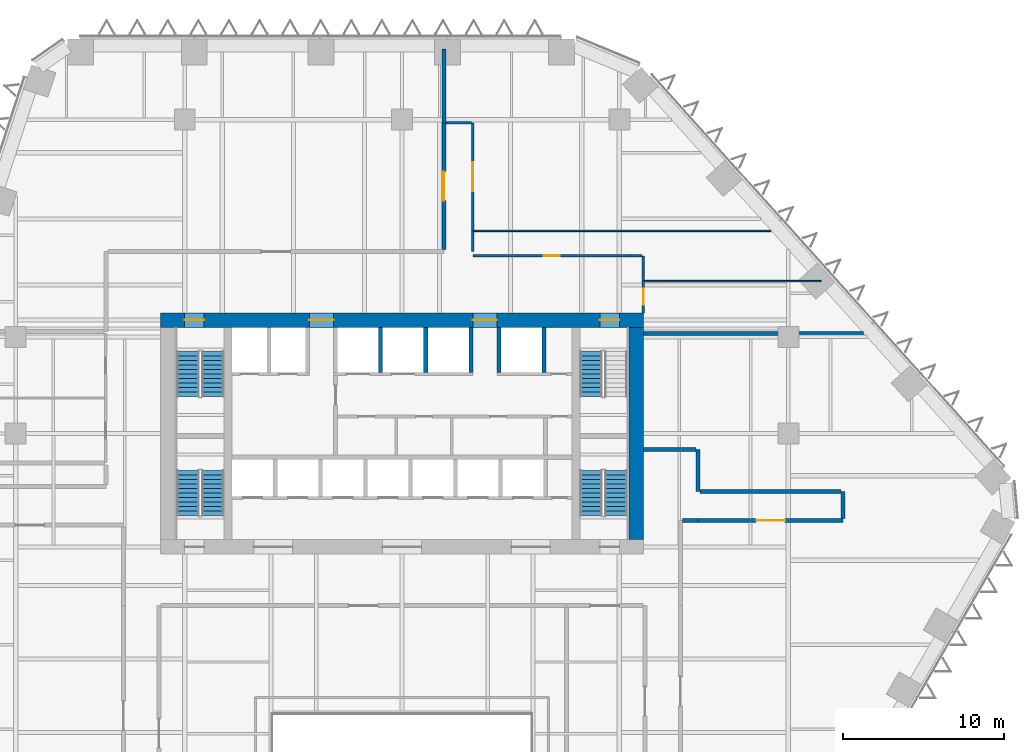
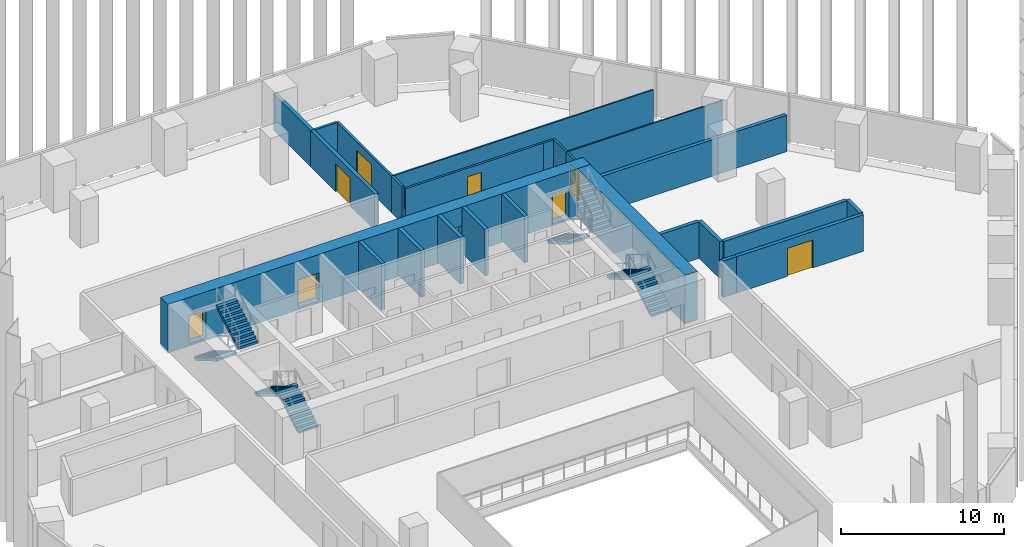
# One storey, part 16 of 24: 25 walls, 9 doors, 7 stair flights, 9 openings, 4 elements without a shape of their own.
"""IFC4 building model written with IfcOpenShell, lengths in metres."""

from ifc_helpers import new_model, si_unit, direction, frame, frame_2d, origin, place, context, subcontext, project, spatial, polyline, rectangle, outline, extrude, material, layer, layer_set, type_object, element, fill, aggregate, save


model = new_model("IFC4")

# Units and contexts
model_context = context("Model", 3, precision=1e-05, world=origin(), true_north=direction((0.0, 1.0)))
body_context = subcontext(model_context, "Body", "Model", "MODEL_VIEW")
ifc_project = project(units=[si_unit("LENGTHUNIT", "METRE"), si_unit("AREAUNIT", "SQUARE_METRE"), si_unit("VOLUMEUNIT", "CUBIC_METRE"), si_unit("PLANEANGLEUNIT", "RADIAN"), si_unit("MASSUNIT", "GRAM", prefix="KILO")], contexts=[model_context])

# Site, building, storey
site_placement = place(None, origin())
site = spatial("IfcSite", under=ifc_project, at=site_placement, CompositionType="ELEMENT")
building_placement = place(site_placement, origin())
building = spatial("IfcBuilding", under=site, at=building_placement, Name="Isthmus Gate Tower", CompositionType="ELEMENT")
storey_placement = place(building_placement, frame((0.0, 0.0, 80.64990234375)))
storey = spatial("IfcBuildingStorey", under=building, at=storey_placement, Name="L18", CompositionType="ELEMENT", Elevation=80.64990234375)

# Walls
ifc_material_1 = material(Name="Double-leaf acoustic stud wall, fire-rated", Category="gypsum")
ifc_layer_1 = layer(ifc_material_1, 0.25)
ifc_layer_set_1 = layer_set([ifc_layer_1], Name="ACOUSTIC WALL 250 60 MIN")
wall_type_1 = type_object("IfcWallType", Name="ACOUSTIC WALL 250 60 MIN", PredefinedType="PARTITIONING", material=ifc_layer_set_1)
wall_1_placement = place(storey_placement, frame((18.402099609375, 2.10205078125, 0.0), z_axis=(0.0, 0.0, 1.0), x_axis=(-1.0, 0.0, 0.0)))
element("IfcWall", 1, at=wall_1_placement, inside=storey, type_object=wall_type_1, Name="L18 Acoustic Wall 250 60 Min", PredefinedType="PARTITIONING", context=body_context, shape_type="SweptSolid", body=[
    extrude(rectangle(XDim=0.97900390625, YDim=0.25, at=frame_2d((0.489501953125, 0.0))), origin(), (0.0, 0.0, 1.0), 2.7412109375),
])
wall_2_placement = place(storey_placement, frame((18.39990234375, 6.5, 0.0), z_axis=(0.0, 0.0, 1.0), x_axis=(0.0, -1.0, 0.0)))
element("IfcWall", 2, at=wall_2_placement, inside=storey, type_object=wall_type_1, Name="L18 Acoustic Wall 250 60 Min", PredefinedType="PARTITIONING", context=body_context, shape_type="SweptSolid", body=[
    extrude(rectangle(XDim=2.60009765625, YDim=0.25, at=frame_2d((1.300048828125, 0.0))), origin(), (0.0, 0.0, 1.0), 2.7412109375),
])

# Wall, opening, door
wall_3_placement = place(storey_placement, frame((27.39990234375, 2.10009765625, 0.0), z_axis=(0.0, 0.0, 1.0), x_axis=(-1.0, 0.0, 0.0)))
wall_3 = element("IfcWall", 3, at=wall_3_placement, inside=storey, type_object=wall_type_1, Name="L18 Acoustic Wall 250 60 Min", PredefinedType="PARTITIONING", context=body_context, shape_type="SweptSolid", body=[
    extrude(rectangle(XDim=8.997802734375, YDim=0.25, at=frame_2d((4.4990234375, 0.0))), origin(), (0.0, 0.0, 1.0), 2.7412109375),
])
opening_1_placement = place(wall_3_placement, frame((3.59912109375, 0.0, 0.0)))
opening_1 = element("IfcOpeningElement", 4, at=opening_1_placement, cuts=wall_3, Name="Opening DT-T2A-09", PredefinedType="OPENING", context=body_context, shape_type="SweptSolid", body=[
    extrude(rectangle(XDim=1.800048828125, YDim=2.10009765625, at=frame_2d((0.89990234375, 1.050048828125))), frame((0.0, 0.135009765625, 0.0), z_axis=(0.0, -1.0, 0.0), x_axis=(1.0, 0.0, 0.0)), (0.0, 0.0, 1.0), 0.27001953125),
])
ifc_material_2 = material(Name="Solid core timber door leaf, fire-rated", Category="wood")
door_type_1 = type_object("IfcDoorType", Name="FIRE DOOR ACOUSTIC ROOM 1800 X 2100 60 MIN", OperationType="DOUBLE_DOOR_DOUBLE_SWING", PredefinedType="DOOR", material=ifc_material_2)
door_1_placement = place(opening_1_placement, origin())
door_1 = element("IfcDoor", 5, at=door_1_placement, inside=storey, type_object=door_type_1, Name="L18 room door", OperationType="DOUBLE_DOOR_DOUBLE_SWING", OverallHeight=2.10009765625, OverallWidth=1.800048828125, PredefinedType="DOOR", context=body_context, shape_type="SweptSolid", body=[
    extrude(rectangle(XDim=1.800048828125, YDim=2.10009765625, at=frame_2d((0.89990234375, 1.050048828125))), frame((0.0, 0.02490234375, 0.0), z_axis=(0.0, -1.0, 0.0), x_axis=(1.0, 0.0, 0.0)), (0.0, 0.0, 1.0), 0.050048828125),
])
fill(opening_1, door_1)

# Wall
wall_4_placement = place(storey_placement, frame((27.39990234375, 3.89990234375, 0.0), z_axis=(0.0, 0.0, 1.0), x_axis=(0.0, -1.0, 0.0)))
element("IfcWall", 6, at=wall_4_placement, inside=storey, type_object=wall_type_1, Name="L18 Acoustic Wall 250 60 Min", PredefinedType="PARTITIONING", context=body_context, shape_type="SweptSolid", body=[
    extrude(rectangle(XDim=1.6748046875, YDim=0.25, at=frame_2d((0.83740234375, 0.0))), origin(), (0.0, 0.0, 1.0), 2.7412109375),
])

# Wall, opening, door
wall_5_placement = place(storey_placement, frame((2.60009765625, 18.925048828125, 0.0), z_axis=(0.0, 0.0, 1.0), x_axis=(0.0, 1.0, 0.0)))
wall_5 = element("IfcWall", 7, at=wall_5_placement, inside=storey, type_object=wall_type_1, Name="L18 Acoustic Wall 250 60 Min", PredefinedType="PARTITIONING", context=body_context, shape_type="SweptSolid", body=[
    extrude(rectangle(XDim=7.875, YDim=0.25, at=frame_2d((3.9375, 0.0))), origin(), (0.0, 0.0, 1.0), 2.7412109375),
])
opening_2_placement = place(wall_5_placement, frame((3.03759765625, 0.0, 0.0)))
opening_2 = element("IfcOpeningElement", 8, at=opening_2_placement, cuts=wall_5, Name="Opening DT-T2A-02", PredefinedType="OPENING", context=body_context, shape_type="SweptSolid", body=[
    extrude(rectangle(XDim=1.800048828125, YDim=2.10009765625, at=frame_2d((0.89990234375, 1.050048828125))), frame((0.0, 0.135009765625, 0.0), z_axis=(0.0, -1.0, 0.0), x_axis=(1.0, 0.0, 0.0)), (0.0, 0.0, 1.0), 0.27001953125),
])
door_2_placement = place(opening_2_placement, origin())
door_2 = element("IfcDoor", 9, at=door_2_placement, inside=storey, type_object=door_type_1, Name="L18 room door", OperationType="DOUBLE_DOOR_DOUBLE_SWING", OverallHeight=2.10009765625, OverallWidth=1.800048828125, PredefinedType="DOOR", context=body_context, shape_type="SweptSolid", body=[
    extrude(rectangle(XDim=1.800048828125, YDim=2.10009765625, at=frame_2d((0.89990234375, 1.050048828125))), frame((0.0, 0.02490234375, 0.0), z_axis=(0.0, -1.0, 0.0), x_axis=(1.0, 0.0, 0.0)), (0.0, 0.0, 1.0), 0.050048828125),
])
fill(opening_2, door_2)

# Walls
wall_6_placement = place(storey_placement, frame((2.597900390625, 26.800048828125, 0.0), z_axis=(0.0, 0.0, 1.0), x_axis=(0.0, 1.0, 0.0)))
element("IfcWall", 10, at=wall_6_placement, inside=storey, type_object=wall_type_1, Name="L18 Acoustic Wall 250 60 Min", PredefinedType="PARTITIONING", context=body_context, shape_type="SweptSolid", body=[
    extrude(rectangle(XDim=4.599853515625, YDim=0.25, at=frame_2d((2.2998046875, 0.0))), origin(), (0.0, 0.0, 1.0), 2.7412109375),
])
wall_7_placement = place(storey_placement, frame((15.0, 13.708984375, 0.0), z_axis=(0.0, 0.0, 1.0), x_axis=(1.0, 0.0, 0.0)))
element("IfcWall", 11, at=wall_7_placement, inside=storey, type_object=wall_type_1, Name="L18 Acoustic Wall 250 60 Min", PredefinedType="PARTITIONING", context=body_context, shape_type="SweptSolid", body=[
    extrude(rectangle(XDim=13.66796875, YDim=0.25, at=frame_2d((6.833984375, 0.0))), origin(), (0.0, 0.0, 1.0), 2.7412109375),
])
wall_8_placement = place(storey_placement, frame((15.0, 6.5, 0.0), z_axis=(0.0, 0.0, 1.0), x_axis=(1.0, 0.0, 0.0)))
element("IfcWall", 12, at=wall_8_placement, inside=storey, type_object=wall_type_1, Name="L18 Acoustic Wall 250 60 Min", PredefinedType="PARTITIONING", context=body_context, shape_type="SweptSolid", body=[
    extrude(rectangle(XDim=3.27490234375, YDim=0.25, at=frame_2d((1.637451171875, 0.0))), origin(), (0.0, 0.0, 1.0), 2.7412109375),
])
wall_9_placement = place(storey_placement, frame((18.52490234375, 3.89990234375, 0.0), z_axis=(0.0, 0.0, 1.0), x_axis=(1.0, 0.0, 0.0)))
element("IfcWall", 13, at=wall_9_placement, inside=storey, type_object=wall_type_1, Name="L18 Acoustic Wall 250 60 Min", PredefinedType="PARTITIONING", context=body_context, shape_type="SweptSolid", body=[
    extrude(rectangle(XDim=8.75, YDim=0.25, at=frame_2d((4.375, 0.0))), origin(), (0.0, 0.0, 1.0), 2.7412109375),
])

# Wall, opening, door
ifc_material_3 = material(Name="Gypsum board on steel studs, fire-rated", Category="steel")
ifc_layer_2 = layer(ifc_material_3, 0.14990234375)
ifc_layer_set_2 = layer_set([ifc_layer_2], Name="CORRIDOR WALL 150 60 MIN")
wall_type_2 = type_object("IfcWallType", Name="CORRIDOR WALL 150 60 MIN", PredefinedType="PARTITIONING", material=ifc_layer_set_2)
wall_10_placement = place(storey_placement, frame((4.39990234375, 26.800048828125, 0.0), z_axis=(0.0, 0.0, 1.0), x_axis=(0.0, -1.0, 0.0)))
wall_10 = element("IfcWall", 14, at=wall_10_placement, inside=storey, type_object=wall_type_2, Name="L18 Corridor Wall 150 60 Min", PredefinedType="PARTITIONING", context=body_context, shape_type="SweptSolid", body=[
    extrude(rectangle(XDim=6.7080078125, YDim=0.14990234375, at=frame_2d((3.35400390625, 0.0))), origin(), (0.0, 0.0, 1.0), 2.7412109375),
])
opening_3_placement = place(wall_10_placement, frame((2.4541015625, 0.0, 0.0)))
opening_3 = element("IfcOpeningElement", 15, at=opening_3_placement, cuts=wall_10, Name="Opening DT-T2A-03", PredefinedType="OPENING", context=body_context, shape_type="SweptSolid", body=[
    extrude(rectangle(XDim=1.800048828125, YDim=2.10009765625, at=frame_2d((0.89990234375, 1.050048828125))), frame((0.0, 0.0849609375, 0.0), z_axis=(0.0, -1.0, 0.0), x_axis=(1.0, 0.0, 0.0)), (0.0, 0.0, 1.0), 0.169921875),
])
ifc_material_4 = material(Name="Solid core timber door leaf, fire-rated", Category="wood")
door_type_2 = type_object("IfcDoorType", Name="FIRE DOOR ROOM 1800 X 2100 60 MIN", OperationType="DOUBLE_DOOR_DOUBLE_SWING", PredefinedType="DOOR", material=ifc_material_4)
door_3_placement = place(opening_3_placement, origin())
door_3 = element("IfcDoor", 16, at=door_3_placement, inside=storey, type_object=door_type_2, Name="L18 room door", OperationType="DOUBLE_DOOR_DOUBLE_SWING", OverallHeight=2.10009765625, OverallWidth=1.800048828125, PredefinedType="DOOR", context=body_context, shape_type="SweptSolid", body=[
    extrude(rectangle(XDim=1.800048828125, YDim=2.10009765625, at=frame_2d((0.89990234375, 1.050048828125))), frame((0.0, 0.02490234375, 0.0), z_axis=(0.0, -1.0, 0.0), x_axis=(1.0, 0.0, 0.0)), (0.0, 0.0, 1.0), 0.050048828125),
])
fill(opening_3, door_3)

# Walls
wall_11_placement = place(storey_placement, frame((4.39990234375, 20.092041015625, 0.0), z_axis=(0.0, 0.0, 1.0), x_axis=(0.0, -1.0, 0.0)))
element("IfcWall", 17, at=wall_11_placement, inside=storey, type_object=wall_type_2, Name="L18 Corridor Wall 150 60 Min", PredefinedType="PARTITIONING", context=body_context, shape_type="SweptSolid", body=[
    extrude(rectangle(XDim=1.2900390625, YDim=0.14990234375, at=frame_2d((0.64501953125, 0.0))), origin(), (0.0, 0.0, 1.0), 2.7412109375),
])
wall_12_placement = place(storey_placement, frame((15.0, 18.5400390625, 0.0), z_axis=(0.0, 0.0, 1.0), x_axis=(0.0, -1.0, 0.0)))
element("IfcWall", 18, at=wall_12_placement, inside=storey, type_object=wall_type_2, Name="L18 Corridor Wall 150 60 Min", PredefinedType="PARTITIONING", context=body_context, shape_type="SweptSolid", body=[
    extrude(rectangle(XDim=1.572998046875, YDim=0.14990234375, at=frame_2d((0.78662109375, 0.0))), origin(), (0.0, 0.0, 1.0), 2.7412109375),
])

# Wall, opening, door
wall_13_placement = place(storey_placement, frame((15.0, 16.967041015625, 0.0), z_axis=(0.0, 0.0, 1.0), x_axis=(0.0, -1.0, 0.0)))
wall_13 = element("IfcWall", 19, at=wall_13_placement, inside=storey, type_object=wall_type_2, Name="L18 Corridor Wall 150 60 Min", PredefinedType="PARTITIONING", context=body_context, shape_type="SweptSolid", body=[
    extrude(rectangle(XDim=1.967041015625, YDim=0.14990234375, at=frame_2d((0.9833984375, 0.0))), origin(), (0.0, 0.0, 1.0), 2.7412109375),
])
opening_4_placement = place(wall_13_placement, frame((0.4833984375, 0.0, 0.0)))
opening_4 = element("IfcOpeningElement", 20, at=opening_4_placement, cuts=wall_13, Name="Opening DT-T2A-05", PredefinedType="OPENING", context=body_context, shape_type="SweptSolid", body=[
    extrude(rectangle(XDim=1.0, YDim=2.10009765625, at=frame_2d((0.5, 1.050048828125))), frame((0.0, 0.0849609375, 0.0), z_axis=(0.0, -1.0, 0.0), x_axis=(1.0, 0.0, 0.0)), (0.0, 0.0, 1.0), 0.169921875),
])
ifc_material_5 = material(Name="Solid core timber door leaf, fire-rated", Category="wood")
door_type_3 = type_object("IfcDoorType", Name="FIRE DOOR ROOM 1000 X 2100 60 MIN", OperationType="SINGLE_SWING_LEFT", PredefinedType="DOOR", material=ifc_material_5)
door_4_placement = place(opening_4_placement, origin())
door_4 = element("IfcDoor", 21, at=door_4_placement, inside=storey, type_object=door_type_3, Name="L18 room door", OperationType="SINGLE_SWING_RIGHT", OverallHeight=2.10009765625, OverallWidth=1.0, PredefinedType="DOOR", context=body_context, shape_type="SweptSolid", body=[
    extrude(rectangle(XDim=1.0, YDim=2.10009765625, at=frame_2d((0.5, 1.050048828125))), frame((0.0, 0.02490234375, 0.0), z_axis=(0.0, -1.0, 0.0), x_axis=(1.0, 0.0, 0.0)), (0.0, 0.0, 1.0), 0.050048828125),
])
fill(opening_4, door_4)

# Wall
wall_14_placement = place(storey_placement, frame((2.72509765625, 26.800048828125, 0.0), z_axis=(0.0, 0.0, 1.0), x_axis=(1.0, 0.0, 0.0)))
element("IfcWall", 22, at=wall_14_placement, inside=storey, type_object=wall_type_2, Name="L18 Corridor Wall 150 60 Min", PredefinedType="PARTITIONING", context=body_context, shape_type="SweptSolid", body=[
    extrude(rectangle(XDim=1.599853515625, YDim=0.14990234375, at=frame_2d((0.7998046875, 0.0))), origin(), (0.0, 0.0, 1.0), 2.7412109375),
])

# Wall, opening, door
wall_15_placement = place(storey_placement, frame((14.199951171875, 18.5419921875, 0.0), z_axis=(0.0, 0.0, 1.0), x_axis=(-0.999999980148, -0.000199257761, 0.0)))
wall_15 = element("IfcWall", 23, at=wall_15_placement, inside=storey, type_object=wall_type_2, Name="L18 Corridor Wall 150 60 Min", PredefinedType="PARTITIONING", context=body_context, shape_type="SweptSolid", body=[
    extrude(rectangle(XDim=9.802001953125, YDim=0.14990234375, at=frame_2d((4.90087890625, 0.0))), origin(), (0.0, 0.0, 1.0), 2.7412109375),
])
opening_5_placement = place(wall_15_placement, frame((4.40087890625, 0.0, 0.0)))
opening_5 = element("IfcOpeningElement", 24, at=opening_5_placement, cuts=wall_15, Name="Opening DT-T2A-04", PredefinedType="OPENING", context=body_context, shape_type="SweptSolid", body=[
    extrude(rectangle(XDim=1.0, YDim=2.10009765625, at=frame_2d((0.5, 1.050048828125))), frame((0.0, 0.0849609375, 0.0), z_axis=(0.0, -1.0, 0.0), x_axis=(1.0, 0.0, 0.0)), (0.0, 0.0, 1.0), 0.169921875),
])
door_5_placement = place(opening_5_placement, origin())
door_5 = element("IfcDoor", 25, at=door_5_placement, inside=storey, type_object=door_type_3, Name="L18 room door", OperationType="SINGLE_SWING_RIGHT", OverallHeight=2.10009765625, OverallWidth=1.0, PredefinedType="DOOR", context=body_context, shape_type="SweptSolid", body=[
    extrude(rectangle(XDim=1.0, YDim=2.10009765625, at=frame_2d((0.5, 1.050048828125))), frame((0.0, 0.02490234375, 0.0), z_axis=(0.0, -1.0, 0.0), x_axis=(1.0, 0.0, 0.0)), (0.0, 0.0, 1.0), 0.050048828125),
])
fill(opening_5, door_5)

# Wall
wall_16_placement = place(storey_placement, frame((14.199951171875, 18.5400390625, 0.0), z_axis=(0.0, 0.0, 1.0), x_axis=(1.0, 0.0, 0.0)))
element("IfcWall", 26, at=wall_16_placement, inside=storey, type_object=wall_type_2, Name="L18 Corridor Wall 150 60 Min", PredefinedType="PARTITIONING", context=body_context, shape_type="SweptSolid", body=[
    extrude(rectangle(XDim=0.72509765625, YDim=0.14990234375, at=frame_2d((0.362548828125, 0.0))), origin(), (0.0, 0.0, 1.0), 2.7412109375),
])

# Wall, openings, doors
ifc_material_6 = material(Name="Concrete f'c 70 MPa", Category="concrete")
ifc_layer_3 = layer(ifc_material_6, 0.89990234375)
ifc_layer_set_3 = layer_set([ifc_layer_3], Name="RC CORE WALL 900 F'C 70")
wall_type_3 = type_object("IfcWallType", Name="RC CORE WALL 900 F'C 70", PredefinedType="SOLIDWALL", material=ifc_layer_set_3)
wall_17_placement = place(storey_placement, frame((-15.0, 14.550048828125, -0.14990234375), z_axis=(0.0, 0.0, 1.0), x_axis=(1.0, 0.0, 0.0)))
wall_17 = element("IfcWall", 27, at=wall_17_placement, inside=storey, type_object=wall_type_3, Name="str-corewall-L18-N", PredefinedType="SOLIDWALL", context=body_context, shape_type="SweptSolid", body=[
    extrude(rectangle(XDim=30.0, YDim=0.89990234375, at=frame_2d((15.0, 0.0))), origin(), (0.0, 0.0, 1.0), 3.64990234375),
])
opening_6_placement = place(wall_17_placement, frame((9.25, 0.0, 0.14990234375)))
opening_6 = element("IfcOpeningElement", 28, at=opening_6_placement, cuts=wall_17, Name="Opening DC-A03-11", PredefinedType="OPENING", context=body_context, shape_type="SweptSolid", body=[
    extrude(rectangle(XDim=1.5, YDim=2.10009765625, at=frame_2d((0.75, 1.050048828125))), frame((0.0, 0.4599609375, 0.0), z_axis=(0.0, -1.0, 0.0), x_axis=(1.0, 0.0, 0.0)), (0.0, 0.0, 1.0), 0.919921875),
])
opening_7_placement = place(wall_17_placement, frame((19.39990234375, 0.0, 0.14990234375)))
opening_7 = element("IfcOpeningElement", 29, at=opening_7_placement, cuts=wall_17, Name="Opening DC-A03-12", PredefinedType="OPENING", context=body_context, shape_type="SweptSolid", body=[
    extrude(rectangle(XDim=1.5, YDim=2.10009765625, at=frame_2d((0.75, 1.050048828125))), frame((0.0, 0.4599609375, 0.0), z_axis=(0.0, -1.0, 0.0), x_axis=(1.0, 0.0, 0.0)), (0.0, 0.0, 1.0), 0.919921875),
])
opening_8_placement = place(wall_17_placement, frame((1.5, 0.0, 0.14990234375)))
opening_8 = element("IfcOpeningElement", 30, at=opening_8_placement, cuts=wall_17, Name="Opening DC-A03-13", PredefinedType="OPENING", context=body_context, shape_type="SweptSolid", body=[
    extrude(rectangle(XDim=1.199951171875, YDim=2.10009765625, at=frame_2d((0.60009765625, 1.050048828125))), frame((0.0, 0.4599609375, 0.0), z_axis=(0.0, -1.0, 0.0), x_axis=(1.0, 0.0, 0.0)), (0.0, 0.0, 1.0), 0.919921875),
])
opening_9_placement = place(wall_17_placement, frame((27.300048828125, 0.0, 0.14990234375)))
opening_9 = element("IfcOpeningElement", 31, at=opening_9_placement, cuts=wall_17, Name="Opening DC-A03-14", PredefinedType="OPENING", context=body_context, shape_type="SweptSolid", body=[
    extrude(rectangle(XDim=1.199951171875, YDim=2.10009765625, at=frame_2d((0.60009765625, 1.050048828125))), frame((0.0, 0.4599609375, 0.0), z_axis=(0.0, -1.0, 0.0), x_axis=(1.0, 0.0, 0.0)), (0.0, 0.0, 1.0), 0.919921875),
])
ifc_material_7 = material(Name="Steel door leaf, fire-rated", Category="steel")
door_type_4 = type_object("IfcDoorType", Name="LOBBY FIRE DOOR 1500 X 2100 60 MIN", OperationType="DOUBLE_DOOR_SINGLE_SWING", PredefinedType="DOOR", material=ifc_material_7)
door_6_placement = place(opening_7_placement, origin())
door_6 = element("IfcDoor", 32, at=door_6_placement, inside=storey, type_object=door_type_4, Name="Lobby Door PN-E", OperationType="DOUBLE_DOOR_SINGLE_SWING", OverallHeight=2.10009765625, OverallWidth=1.5, PredefinedType="DOOR", context=body_context, shape_type="SweptSolid", body=[
    extrude(rectangle(XDim=1.5, YDim=2.10009765625, at=frame_2d((0.75, 1.050048828125))), frame((0.0, 0.02490234375, 0.0), z_axis=(0.0, -1.0, 0.0), x_axis=(1.0, 0.0, 0.0)), (0.0, 0.0, 1.0), 0.050048828125),
])
fill(opening_7, door_6)
ifc_material_8 = material(Name="Steel door leaf, fire-rated", Category="steel")
door_type_5 = type_object("IfcDoorType", Name="LOBBY FIRE DOOR 1500 X 2100 90 MIN", OperationType="DOUBLE_DOOR_SINGLE_SWING", PredefinedType="DOOR", material=ifc_material_8)
door_7_placement = place(opening_6_placement, origin())
door_7 = element("IfcDoor", 33, at=door_7_placement, inside=storey, type_object=door_type_5, Name="Lobby Door PN-W", OperationType="DOUBLE_DOOR_SINGLE_SWING", OverallHeight=2.10009765625, OverallWidth=1.5, PredefinedType="DOOR", context=body_context, shape_type="SweptSolid", body=[
    extrude(rectangle(XDim=1.5, YDim=2.10009765625, at=frame_2d((0.75, 1.050048828125))), frame((0.0, 0.02490234375, 0.0), z_axis=(0.0, -1.0, 0.0), x_axis=(1.0, 0.0, 0.0)), (0.0, 0.0, 1.0), 0.050048828125),
])
fill(opening_6, door_7)
ifc_material_9 = material(Name="Steel door leaf, fire-rated", Category="steel")
door_type_6 = type_object("IfcDoorType", Name="STAIR FIRE DOOR 1200 X 2100 90 MIN", OperationType="SINGLE_SWING_LEFT", PredefinedType="DOOR", material=ifc_material_9)
door_8_placement = place(opening_8_placement, origin())
door_8 = element("IfcDoor", 34, at=door_8_placement, inside=storey, type_object=door_type_6, Name="Exit Stair 1 Door", OperationType="SINGLE_SWING_RIGHT", OverallHeight=2.10009765625, OverallWidth=1.199951171875, PredefinedType="DOOR", context=body_context, shape_type="SweptSolid", body=[
    extrude(rectangle(XDim=1.199951171875, YDim=2.10009765625, at=frame_2d((0.60009765625, 1.050048828125))), frame((0.0, 0.02490234375, 0.0), z_axis=(0.0, -1.0, 0.0), x_axis=(1.0, 0.0, 0.0)), (0.0, 0.0, 1.0), 0.050048828125),
])
fill(opening_8, door_8)
door_9_placement = place(opening_9_placement, origin())
door_9 = element("IfcDoor", 35, at=door_9_placement, inside=storey, type_object=door_type_6, Name="Exit Stair 2 Door", OperationType="SINGLE_SWING_LEFT", OverallHeight=2.10009765625, OverallWidth=1.199951171875, PredefinedType="DOOR", context=body_context, shape_type="SweptSolid", body=[
    extrude(rectangle(XDim=1.199951171875, YDim=2.10009765625, at=frame_2d((0.60009765625, 1.050048828125))), frame((0.0, 0.02490234375, 0.0), z_axis=(0.0, -1.0, 0.0), x_axis=(1.0, 0.0, 0.0)), (0.0, 0.0, 1.0), 0.050048828125),
])
fill(opening_9, door_9)

# Walls
wall_18_placement = place(storey_placement, frame((14.550048828125, 0.89990234375, -0.14990234375), z_axis=(0.0, 0.0, 1.0), x_axis=(0.0, 1.0, 0.0)))
element("IfcWall", 36, at=wall_18_placement, inside=storey, type_object=wall_type_3, Name="str-corewall-L18-E", PredefinedType="SOLIDWALL", context=body_context, shape_type="SweptSolid", body=[
    extrude(rectangle(XDim=13.2001953125, YDim=0.89990234375, at=frame_2d((6.60009765625, 0.0))), origin(), (0.0, 0.0, 1.0), 3.64990234375),
])
ifc_material_10 = material(Name="Gypsum board on steel studs, fire-rated", Category="steel")
ifc_layer_4 = layer(ifc_material_10, 0.10009765625)
ifc_layer_set_4 = layer_set([ifc_layer_4], Name="ROOM PARTITION 100 30 MIN")
wall_type_4 = type_object("IfcWallType", Name="ROOM PARTITION 100 30 MIN", PredefinedType="PARTITIONING", material=ifc_layer_set_4)
wall_19_placement = place(storey_placement, frame((4.47509765625, 20.092041015625, 0.0), z_axis=(0.0, 0.0, 1.0), x_axis=(1.0, 0.0, 0.0)))
element("IfcWall", 37, at=wall_19_placement, inside=storey, type_object=wall_type_4, Name="L18 Room Partition 100 30 Min", PredefinedType="PARTITIONING", context=body_context, shape_type="SweptSolid", body=[
    extrude(rectangle(XDim=18.44580078125, YDim=0.10009765625, at=frame_2d((9.222900390625, 0.0))), origin(), (0.0, 0.0, 1.0), 2.7412109375),
])
wall_20_placement = place(storey_placement, frame((15.074951171875, 16.967041015625, 0.0), z_axis=(0.0, 0.0, 1.0), x_axis=(1.0, 0.0, 0.0)))
element("IfcWall", 38, at=wall_20_placement, inside=storey, type_object=wall_type_4, Name="L18 Room Partition 100 30 Min", PredefinedType="PARTITIONING", context=body_context, shape_type="SweptSolid", body=[
    extrude(rectangle(XDim=10.9599609375, YDim=0.10009765625, at=frame_2d((5.47998046875, 0.0))), origin(), (0.0, 0.0, 1.0), 2.7412109375),
])
ifc_material_11 = material(Name="Fire-rated blockwork masonry, 15 MPa", Category="masonry")
ifc_layer_5 = layer(ifc_material_11, 0.25)
ifc_layer_set_5 = layer_set([ifc_layer_5], Name="SHAFT WALL 250 120 MIN")
wall_type_5 = type_object("IfcWallType", Name="SHAFT WALL 250 120 MIN", PredefinedType="PARTITIONING", material=ifc_layer_set_5)
for number, where, z_axis, x_axis, name in (
    (39, (-1.324951171875, 11.300048828125, 0.0), (0.0, 0.0, 1.0), (0.0, 1.0, 0.0), "L18 SHAFT WALL 250 120 MIN"),
    (40, (1.47509765625, 11.300048828125, 0.0), (0.0, 0.0, 1.0), (0.0, 1.0, 0.0), "L18 SHAFT WALL 250 120 MIN"),
    (41, (4.27490234375, 11.300048828125, 0.0), (0.0, 0.0, 1.0), (0.0, 1.0, 0.0), "L18 SHAFT WALL 250 120 MIN"),
    (42, (6.02490234375, 11.300048828125, 0.0), (0.0, 0.0, 1.0), (0.0, 1.0, 0.0), "L18 SHAFT WALL 250 120 MIN"),
    (43, (8.824951171875, 11.300048828125, 0.0), (0.0, 0.0, 1.0), (0.0, 1.0, 0.0), "L18 SHAFT WALL 250 120 MIN"),
):
    element("IfcWall", number, at=place(storey_placement, frame(where, z_axis=z_axis, x_axis=x_axis)), inside=storey, type_object=wall_type_5, Name=name, PredefinedType="PARTITIONING", context=body_context, shape_type="SweptSolid", body=[
        extrude(rectangle(XDim=2.800048828125, YDim=0.25, at=frame_2d((1.39990234375, 0.0))), origin(), (0.0, 0.0, 1.0), 3.5),
    ])

# Stair, stair flights
ifc_material_12 = material(Name="Concrete f'c 40 MPa", Category="concrete")
stair_type = type_object("IfcStairType", Name="CORE STAIR 22 RISERS", PredefinedType="HALF_TURN_STAIR", material=ifc_material_12)
stair_1_placement = place(storey_placement, origin())
stair_1 = element("IfcStair", 44, at=stair_1_placement, inside=storey, type_object=stair_type, Name="L18 Exit Stair 1", PredefinedType="HALF_TURN_STAIR")
ifc_material_13 = material(Name="Concrete f'c 40 MPa", Category="concrete")
stair_flight_type = type_object("IfcStairFlightType", Name="STAIR FLIGHT RC 1400", PredefinedType="STRAIGHT", material=ifc_material_13)
stair_flight_1_placement = place(storey_placement, frame((-13.300048828125, 12.60009765625, 0.0), z_axis=(0.0, 0.0, 1.0), x_axis=(0.0, -1.0, 0.0)))
stair_flight_1 = element("IfcStairFlight", 45, at=stair_flight_1_placement, type_object=stair_flight_type, Name="ST1 flight 1", NumberOfRisers=11, NumberOfTreads=10, PredefinedType="STRAIGHT", RiserHeight=0.165909091, TreadLength=0.28, context=body_context, shape_type="SweptSolid", body=[
    extrude(outline(polyline([(0.0, 0.0), (0.0, 0.166015625), (0.280029296875, 0.166015625), (0.280029296875, 0.331787109375), (0.56005859375, 0.331787109375), (0.56005859375, 0.497802734375), (0.840087890625, 0.497802734375), (0.840087890625, 0.66357421875), (1.1201171875, 0.66357421875), (1.1201171875, 0.82958984375), (1.39990234375, 0.82958984375), (1.39990234375, 0.995361328125), (1.679931640625, 0.995361328125), (1.679931640625, 1.161376953125), (1.9599609375, 1.161376953125), (1.9599609375, 1.327392578125), (2.239990234375, 1.327392578125), (2.239990234375, 1.4931640625), (2.52001953125, 1.4931640625), (2.52001953125, 1.6591796875), (2.800048828125, 1.6591796875), (2.800048828125, 1.824951171875), (2.800048828125, 1.48486328125), (0.2939453125, 0.0), (0.0, 0.0)])), frame((0.0, 0.699951171875, 0.0), z_axis=(0.0, -1.0, 0.0), x_axis=(1.0, 0.0, 0.0)), (0.0, 0.0, 1.0), 1.39990234375),
])
stair_flight_2_placement = place(storey_placement, frame((-11.75, 9.800048828125, 1.8251953125), z_axis=(0.0, 0.0, 1.0), x_axis=(0.0, 1.0, 0.0)))
stair_flight_2 = element("IfcStairFlight", 46, at=stair_flight_2_placement, type_object=stair_flight_type, Name="ST1 flight 2", NumberOfRisers=11, NumberOfTreads=10, PredefinedType="STRAIGHT", RiserHeight=0.165909091, TreadLength=0.28, context=body_context, shape_type="SweptSolid", body=[
    extrude(outline(polyline([(0.0, 0.0), (0.0, 0.166015625), (0.280029296875, 0.166015625), (0.280029296875, 0.331787109375), (0.56005859375, 0.331787109375), (0.56005859375, 0.497802734375), (0.840087890625, 0.497802734375), (0.840087890625, 0.66357421875), (1.1201171875, 0.66357421875), (1.1201171875, 0.82958984375), (1.39990234375, 0.82958984375), (1.39990234375, 0.995361328125), (1.679931640625, 0.995361328125), (1.679931640625, 1.161376953125), (1.9599609375, 1.161376953125), (1.9599609375, 1.327392578125), (2.239990234375, 1.327392578125), (2.239990234375, 1.4931640625), (2.52001953125, 1.4931640625), (2.52001953125, 1.6591796875), (2.800048828125, 1.6591796875), (2.800048828125, 1.824951171875), (2.800048828125, 1.48486328125), (0.2939453125, 0.0), (0.0, 0.0)])), frame((0.0, 0.699951171875, 0.0), z_axis=(0.0, -1.0, 0.0), x_axis=(1.0, 0.0, 0.0)), (0.0, 0.0, 1.0), 1.39990234375),
])
aggregate(stair_1, [stair_flight_1, stair_flight_2])

# Stair, stair flight
stair_2_placement = place(storey_placement, origin())
stair_2 = element("IfcStair", 47, at=stair_2_placement, inside=storey, type_object=stair_type, Name="L18 Exit Stair 2", PredefinedType="HALF_TURN_STAIR")
stair_flight_3_placement = place(storey_placement, frame((11.75, 12.60009765625, 0.0), z_axis=(0.0, 0.0, 1.0), x_axis=(0.0, -1.0, 0.0)))
stair_flight_3 = element("IfcStairFlight", 48, at=stair_flight_3_placement, type_object=stair_flight_type, Name="ST2 flight 1", NumberOfRisers=11, NumberOfTreads=10, PredefinedType="STRAIGHT", RiserHeight=0.165909091, TreadLength=0.28, context=body_context, shape_type="SweptSolid", body=[
    extrude(outline(polyline([(0.0, 0.0), (0.0, 0.166015625), (0.280029296875, 0.166015625), (0.280029296875, 0.331787109375), (0.56005859375, 0.331787109375), (0.56005859375, 0.497802734375), (0.840087890625, 0.497802734375), (0.840087890625, 0.66357421875), (1.1201171875, 0.66357421875), (1.1201171875, 0.82958984375), (1.39990234375, 0.82958984375), (1.39990234375, 0.995361328125), (1.679931640625, 0.995361328125), (1.679931640625, 1.161376953125), (1.9599609375, 1.161376953125), (1.9599609375, 1.327392578125), (2.239990234375, 1.327392578125), (2.239990234375, 1.4931640625), (2.52001953125, 1.4931640625), (2.52001953125, 1.6591796875), (2.800048828125, 1.6591796875), (2.800048828125, 1.824951171875), (2.800048828125, 1.48486328125), (0.2939453125, 0.0), (0.0, 0.0)])), frame((0.0, 0.699951171875, 0.0), z_axis=(0.0, -1.0, 0.0), x_axis=(1.0, 0.0, 0.0)), (0.0, 0.0, 1.0), 1.39990234375),
])
aggregate(stair_2, [stair_flight_3])

# Stair, stair flights
stair_3_placement = place(storey_placement, origin())
stair_3 = element("IfcStair", 49, at=stair_3_placement, inside=storey, type_object=stair_type, Name="L18 Exit Stair 7", PredefinedType="HALF_TURN_STAIR")
stair_flight_4_placement = place(storey_placement, frame((-11.75, 2.39990234375, 0.0), z_axis=(0.0, 0.0, 1.0), x_axis=(0.0, 1.0, 0.0)))
stair_flight_4 = element("IfcStairFlight", 50, at=stair_flight_4_placement, type_object=stair_flight_type, Name="ST7 flight 1", NumberOfRisers=11, NumberOfTreads=10, PredefinedType="STRAIGHT", RiserHeight=0.165909091, TreadLength=0.28, context=body_context, shape_type="SweptSolid", body=[
    extrude(outline(polyline([(0.0, 0.0), (0.0, 0.166015625), (0.280029296875, 0.166015625), (0.280029296875, 0.331787109375), (0.56005859375, 0.331787109375), (0.56005859375, 0.497802734375), (0.840087890625, 0.497802734375), (0.840087890625, 0.66357421875), (1.1201171875, 0.66357421875), (1.1201171875, 0.82958984375), (1.39990234375, 0.82958984375), (1.39990234375, 0.995361328125), (1.679931640625, 0.995361328125), (1.679931640625, 1.161376953125), (1.9599609375, 1.161376953125), (1.9599609375, 1.327392578125), (2.239990234375, 1.327392578125), (2.239990234375, 1.4931640625), (2.52001953125, 1.4931640625), (2.52001953125, 1.6591796875), (2.800048828125, 1.6591796875), (2.800048828125, 1.824951171875), (2.800048828125, 1.48486328125), (0.2939453125, 0.0), (0.0, 0.0)])), frame((0.0, 0.699951171875, 0.0), z_axis=(0.0, -1.0, 0.0), x_axis=(1.0, 0.0, 0.0)), (0.0, 0.0, 1.0), 1.39990234375),
])
stair_flight_5_placement = place(storey_placement, frame((-13.300048828125, 5.199951171875, 1.8251953125), z_axis=(0.0, 0.0, 1.0), x_axis=(0.0, -1.0, 0.0)))
stair_flight_5 = element("IfcStairFlight", 51, at=stair_flight_5_placement, type_object=stair_flight_type, Name="ST7 flight 2", NumberOfRisers=11, NumberOfTreads=10, PredefinedType="STRAIGHT", RiserHeight=0.165909091, TreadLength=0.28, context=body_context, shape_type="SweptSolid", body=[
    extrude(outline(polyline([(0.0, 0.0), (0.0, 0.166015625), (0.280029296875, 0.166015625), (0.280029296875, 0.331787109375), (0.56005859375, 0.331787109375), (0.56005859375, 0.497802734375), (0.840087890625, 0.497802734375), (0.840087890625, 0.66357421875), (1.1201171875, 0.66357421875), (1.1201171875, 0.82958984375), (1.39990234375, 0.82958984375), (1.39990234375, 0.995361328125), (1.679931640625, 0.995361328125), (1.679931640625, 1.161376953125), (1.9599609375, 1.161376953125), (1.9599609375, 1.327392578125), (2.239990234375, 1.327392578125), (2.239990234375, 1.4931640625), (2.52001953125, 1.4931640625), (2.52001953125, 1.6591796875), (2.800048828125, 1.6591796875), (2.800048828125, 1.824951171875), (2.800048828125, 1.48486328125), (0.2939453125, 0.0), (0.0, 0.0)])), frame((0.0, 0.699951171875, 0.0), z_axis=(0.0, -1.0, 0.0), x_axis=(1.0, 0.0, 0.0)), (0.0, 0.0, 1.0), 1.39990234375),
])
aggregate(stair_3, [stair_flight_4, stair_flight_5])

stair_4_placement = place(storey_placement, origin())
stair_4 = element("IfcStair", 52, at=stair_4_placement, inside=storey, type_object=stair_type, Name="L18 Exit Stair 8", PredefinedType="HALF_TURN_STAIR")
stair_flight_6_placement = place(storey_placement, frame((13.300048828125, 2.39990234375, 0.0), z_axis=(0.0, 0.0, 1.0), x_axis=(0.0, 1.0, 0.0)))
stair_flight_6 = element("IfcStairFlight", 53, at=stair_flight_6_placement, type_object=stair_flight_type, Name="ST8 flight 1", NumberOfRisers=11, NumberOfTreads=10, PredefinedType="STRAIGHT", RiserHeight=0.165909091, TreadLength=0.28, context=body_context, shape_type="SweptSolid", body=[
    extrude(outline(polyline([(0.0, 0.0), (0.0, 0.166015625), (0.280029296875, 0.166015625), (0.280029296875, 0.331787109375), (0.56005859375, 0.331787109375), (0.56005859375, 0.497802734375), (0.840087890625, 0.497802734375), (0.840087890625, 0.66357421875), (1.1201171875, 0.66357421875), (1.1201171875, 0.82958984375), (1.39990234375, 0.82958984375), (1.39990234375, 0.995361328125), (1.679931640625, 0.995361328125), (1.679931640625, 1.161376953125), (1.9599609375, 1.161376953125), (1.9599609375, 1.327392578125), (2.239990234375, 1.327392578125), (2.239990234375, 1.4931640625), (2.52001953125, 1.4931640625), (2.52001953125, 1.6591796875), (2.800048828125, 1.6591796875), (2.800048828125, 1.824951171875), (2.800048828125, 1.48486328125), (0.2939453125, 0.0), (0.0, 0.0)])), frame((0.0, 0.699951171875, 0.0), z_axis=(0.0, -1.0, 0.0), x_axis=(1.0, 0.0, 0.0)), (0.0, 0.0, 1.0), 1.39990234375),
])
stair_flight_7_placement = place(storey_placement, frame((11.75, 5.199951171875, 1.8251953125), z_axis=(0.0, 0.0, 1.0), x_axis=(0.0, -1.0, 0.0)))
stair_flight_7 = element("IfcStairFlight", 54, at=stair_flight_7_placement, type_object=stair_flight_type, Name="ST8 flight 2", NumberOfRisers=11, NumberOfTreads=10, PredefinedType="STRAIGHT", RiserHeight=0.165909091, TreadLength=0.28, context=body_context, shape_type="SweptSolid", body=[
    extrude(outline(polyline([(0.0, 0.0), (0.0, 0.166015625), (0.280029296875, 0.166015625), (0.280029296875, 0.331787109375), (0.56005859375, 0.331787109375), (0.56005859375, 0.497802734375), (0.840087890625, 0.497802734375), (0.840087890625, 0.66357421875), (1.1201171875, 0.66357421875), (1.1201171875, 0.82958984375), (1.39990234375, 0.82958984375), (1.39990234375, 0.995361328125), (1.679931640625, 0.995361328125), (1.679931640625, 1.161376953125), (1.9599609375, 1.161376953125), (1.9599609375, 1.327392578125), (2.239990234375, 1.327392578125), (2.239990234375, 1.4931640625), (2.52001953125, 1.4931640625), (2.52001953125, 1.6591796875), (2.800048828125, 1.6591796875), (2.800048828125, 1.824951171875), (2.800048828125, 1.48486328125), (0.2939453125, 0.0), (0.0, 0.0)])), frame((0.0, 0.699951171875, 0.0), z_axis=(0.0, -1.0, 0.0), x_axis=(1.0, 0.0, 0.0)), (0.0, 0.0, 1.0), 1.39990234375),
])
aggregate(stair_4, [stair_flight_6, stair_flight_7])

save(model, "model.ifc")
